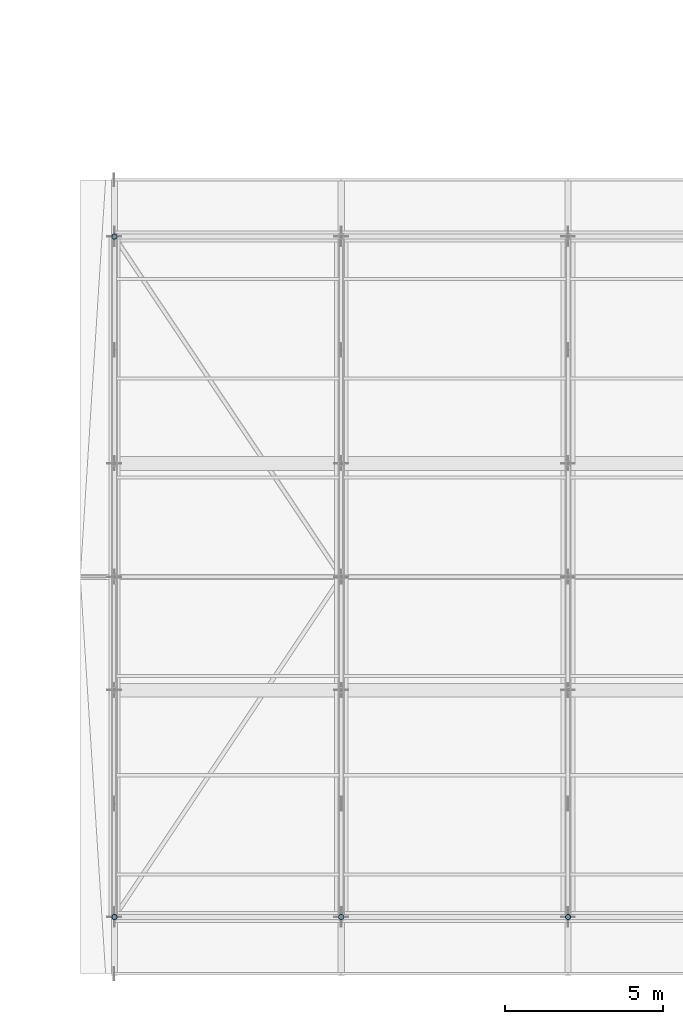
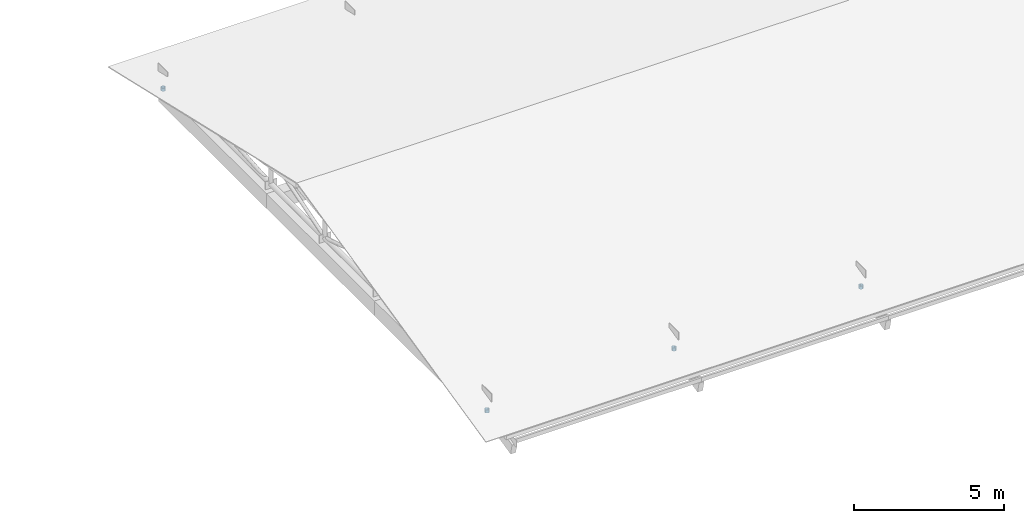
# One storey, part 60 of 93: 4 members.
"""IFC4 building model written with IfcOpenShell, lengths in metres."""

from ifc_helpers import new_model, si_unit, direction, frame, origin, origin_2d, place, context, subcontext, project, spatial, hollow_circle, extrude, material, material_profile, profile_set, type_object, element, save


model = new_model("IFC4")

# Units and contexts
model_context = context("Model", 3, precision=1e-05, world=origin(), true_north=direction((0.0, 1.0)))
body_context = subcontext(model_context, "Body", "Model", "MODEL_VIEW")
ifc_project = project(units=[si_unit("LENGTHUNIT", "METRE"), si_unit("AREAUNIT", "SQUARE_METRE"), si_unit("VOLUMEUNIT", "CUBIC_METRE"), si_unit("PLANEANGLEUNIT", "RADIAN"), si_unit("MASSUNIT", "GRAM", prefix="KILO")], contexts=[model_context])

# Site, building, storey
site_placement = place(None, origin())
site = spatial("IfcSite", under=ifc_project, at=site_placement, CompositionType="ELEMENT")
building_placement = place(site_placement, origin())
building = spatial("IfcBuilding", under=site, at=building_placement, Name="Zornivar Specialist Clinic", CompositionType="ELEMENT")
storey_placement = place(building_placement, frame((0.0, 0.0, 8.39990234375)))
storey = spatial("IfcBuildingStorey", under=building, at=storey_placement, Name="L02", CompositionType="ELEMENT", Elevation=8.39990234375)

# Members
ifc_material = material(Name="Steel S355J2", Category="steel")
ifc_material_profile = material_profile(ifc_material, hollow_circle(Radius=0.084228515625, WallThickness=0.010009765625, at=origin_2d()), Name="CHS 168.3x10")
ifc_profile_set = profile_set([ifc_material_profile], Name="Steel S355J2")
member_type = type_object("IfcMemberType", Name="MEM-STRUT-CHS168", PredefinedType="STRUT", material=ifc_profile_set)
for number, where, z_axis, x_axis, name in (
    (1, (122.39990234375, 0.0, -0.079833984375), (0.0, 0.0, -1.0), (1.0, 0.0, 0.0), "mem:V4:L02:post:0:S"),
    (2, (122.39990234375, 21.60009765625, -0.079833984375), (0.0, 0.0, -1.0), (1.0, 0.0, 0.0), "mem:V4:L02:post:0:N"),
    (3, (129.60009765625, 0.0, -0.079833984375), (0.0, 0.0, -1.0), (1.0, 0.0, 0.0), "mem:V4:L02:post:1:S"),
    (4, (136.800048828125, 0.0, -0.079833984375), (0.0, 0.0, -1.0), (1.0, 0.0, 0.0), "mem:V4:L02:post:2:S"),
):
    element("IfcMember", number, at=place(storey_placement, frame(where, z_axis=z_axis, x_axis=x_axis)), inside=storey, type_object=member_type, Name=name, PredefinedType="STRUT", context=body_context, shape_type="SweptSolid", body=[
        extrude(hollow_circle(Radius=0.084228515625, WallThickness=0.010009765625, at=origin_2d()), origin(), (0.0, 0.0, 1.0), 0.123046875),
    ])

save(model, "model.ifc")
